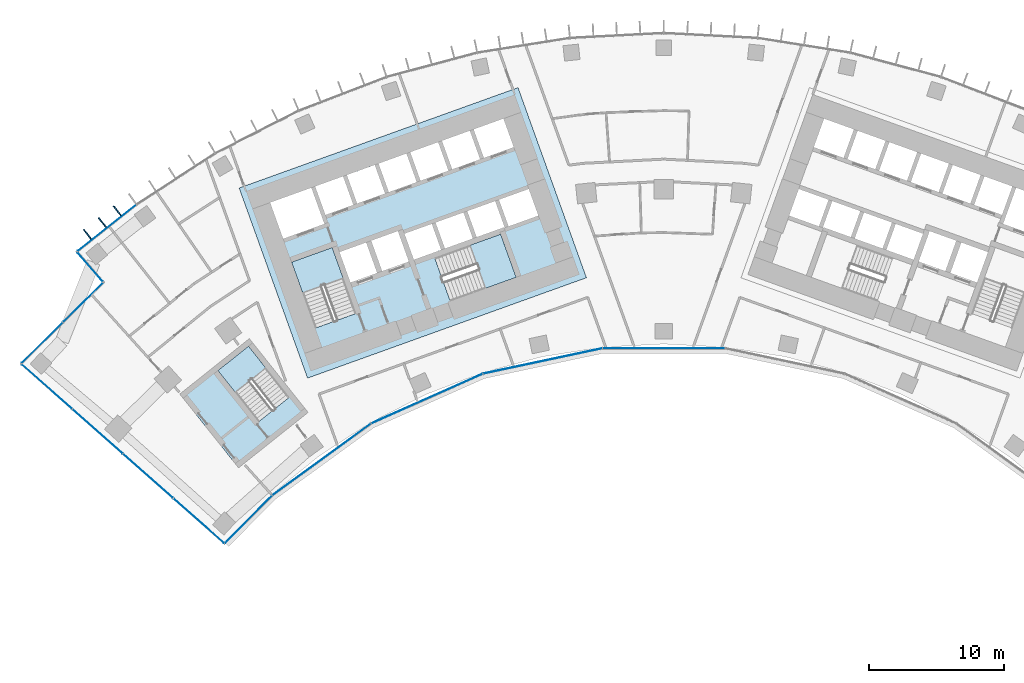
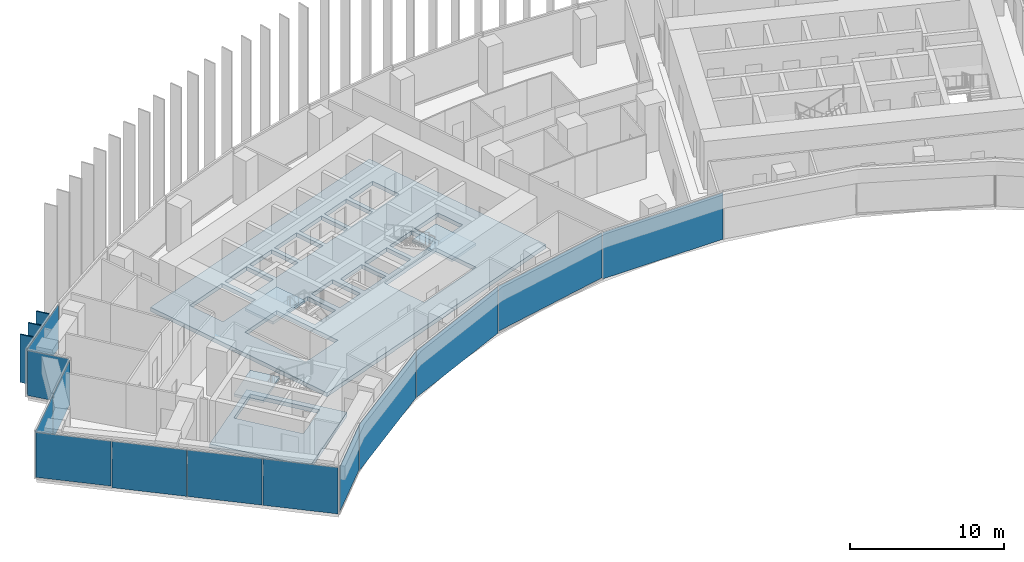
# One storey, part 12 of 22: 16 plates, 5 slabs, 8 elements without a shape of their own.
"""IFC4 building model written with IfcOpenShell, lengths in metres."""

from ifc_helpers import new_model, si_unit, direction, frame, origin, origin_2d, place, context, subcontext, project, spatial, polyline, rectangle, outline, extrude, material, layer, layer_set, type_object, element, aggregate, save


model = new_model("IFC4")

# Units and contexts
model_context = context("Model", 3, precision=1e-05, world=origin(), true_north=direction((0.0, 1.0)))
body_context = subcontext(model_context, "Body", "Model", "MODEL_VIEW")
ifc_project = project(units=[si_unit("LENGTHUNIT", "METRE"), si_unit("AREAUNIT", "SQUARE_METRE"), si_unit("VOLUMEUNIT", "CUBIC_METRE"), si_unit("PLANEANGLEUNIT", "RADIAN"), si_unit("MASSUNIT", "GRAM", prefix="KILO")], contexts=[model_context])

# Site, building, storey
site_placement = place(None, origin())
site = spatial("IfcSite", under=ifc_project, at=site_placement, CompositionType="ELEMENT")
building_placement = place(site_placement, origin())
building = spatial("IfcBuilding", under=site, at=building_placement, Name="Stone Belt Terrace Tower", CompositionType="ELEMENT")
storey_placement = place(building_placement, frame((0.0, 0.0, 121.199951171875)))
storey = spatial("IfcBuildingStorey", under=building, at=storey_placement, Name="L29", CompositionType="ELEMENT", Elevation=121.199951171875)

# Curtain wall, plate
ifc_material_1 = material(Name="Aluminium 6063-T6 anodised frame", Category="aluminium")
ifc_layer_1 = layer(ifc_material_1, 0.14990234375)
ifc_layer_set_1 = layer_set([ifc_layer_1], Name="CW-A unitised convex-face curtain wall")
curtain_wall_type_1 = type_object("IfcCurtainWallType", Name="CW-A unitised convex-face curtain wall", PredefinedType="NOTDEFINED", material=ifc_layer_set_1)
curtain_wall_1_placement = place(storey_placement, origin())
curtain_wall_1 = element("IfcCurtainWall", 1, at=curtain_wall_1_placement, inside=storey, type_object=curtain_wall_type_1, Name="CW-A convex face L29", PredefinedType="NOTDEFINED")
ifc_material_2 = material(Name="Clear double glazed unit")
ifc_layer_2 = layer(ifc_material_2, 0.031982421875)
ifc_layer_set_2 = layer_set([ifc_layer_2], Name="CW-A glass panel 32")
plate_type_1 = type_object("IfcPlateType", Name="CW-A glass panel 32", PredefinedType="CURTAIN_PANEL", material=ifc_layer_set_2)
plate_1_placement = place(storey_placement, frame((-41.32568359375, 52.121826171875, 0.14013671875), z_axis=(0.0, 0.0, 1.0), x_axis=(-0.783743132176, -0.621085101067, 0.0)))
plate_1 = element("IfcPlate", 2, at=plate_1_placement, type_object=plate_type_1, Name="CW-A panel 16.1", PredefinedType="CURTAIN_PANEL", context=body_context, shape_type="SweptSolid", body=[
    extrude(rectangle(XDim=5.5322265625, YDim=0.031982421875, at=origin_2d()), origin(), (0.0, 0.0, 1.0), 3.52001953125),
])
aggregate(curtain_wall_1, [plate_1])

# Curtain wall, plates
ifc_layer_3 = layer(ifc_material_1, 0.14990234375)
ifc_layer_set_3 = layer_set([ifc_layer_3], Name="CW-B unitised concave-face curtain wall")
curtain_wall_type_2 = type_object("IfcCurtainWallType", Name="CW-B unitised concave-face curtain wall", PredefinedType="NOTDEFINED", material=ifc_layer_set_3)
curtain_wall_2_placement = place(storey_placement, origin())
curtain_wall_2 = element("IfcCurtainWall", 3, at=curtain_wall_2_placement, inside=storey, type_object=curtain_wall_type_2, Name="CW-B concave face L29", PredefinedType="NOTDEFINED")
ifc_layer_4 = layer(ifc_material_2, 0.030029296875)
ifc_layer_set_4 = layer_set([ifc_layer_4], Name="CW-B glass panel 30")
plate_type_2 = type_object("IfcPlateType", Name="CW-B glass panel 30", PredefinedType="CURTAIN_PANEL", material=ifc_layer_set_4)
plate_2_placement = place(storey_placement, frame((-30.81494140625, 30.49609375, 0.1201171875), z_axis=(0.0, 0.0, 1.0), x_axis=(0.703734842547, 0.710462716393, 0.0)))
plate_2 = element("IfcPlate", 4, at=plate_2_placement, type_object=plate_type_2, Name="CW-B panel 1.1", PredefinedType="CURTAIN_PANEL", context=body_context, shape_type="SweptSolid", body=[
    extrude(rectangle(XDim=4.9306640625, YDim=0.030029296875, at=origin_2d()), origin(), (0.0, 0.0, 1.0), 3.56005859375),
])
plate_3_placement = place(storey_placement, frame((-25.385986328125, 34.937744140625, 0.0), z_axis=(0.0, 0.0, 1.0), x_axis=(0.809016994375, 0.587785252292, 0.0)))
plate_3 = element("IfcPlate", 5, at=plate_3_placement, type_object=plate_type_2, Name="CW-B panel 2.1", PredefinedType="CURTAIN_PANEL", context=body_context, shape_type="SweptSolid", body=[
    extrude(rectangle(XDim=9.016357421875, YDim=0.030029296875, at=origin_2d()), origin(), (0.0, 0.0, 1.0), 3.679931640625),
])
plate_4_placement = place(storey_placement, frame((-17.565673828125, 39.453125, 0.0), z_axis=(0.0, 0.0, 1.0), x_axis=(0.913545457643, 0.406736643076, 0.0)))
plate_4 = element("IfcPlate", 6, at=plate_4_placement, type_object=plate_type_2, Name="CW-B panel 3.1", PredefinedType="CURTAIN_PANEL", context=body_context, shape_type="SweptSolid", body=[
    extrude(rectangle(XDim=9.0126953125, YDim=0.030029296875, at=origin_2d()), origin(), (0.0, 0.0, 1.0), 3.679931640625),
])
plate_5_placement = place(storey_placement, frame((-8.97900390625, 42.242919921875, 0.1201171875), z_axis=(0.0, 0.0, 1.0), x_axis=(0.978147600734, 0.207911690818, 0.0)))
plate_5 = element("IfcPlate", 7, at=plate_5_placement, type_object=plate_type_2, Name="CW-B panel 4.1", PredefinedType="CURTAIN_PANEL", context=body_context, shape_type="SweptSolid", body=[
    extrude(rectangle(XDim=9.0126953125, YDim=0.030029296875, at=origin_2d()), origin(), (0.0, 0.0, 1.0), 3.56005859375),
])
plate_6_placement = place(storey_placement, frame((0.0, 43.186767578125, 0.0), z_axis=(0.0, 0.0, 1.0), x_axis=(1.0, 0.0, 0.0)))
plate_6 = element("IfcPlate", 8, at=plate_6_placement, type_object=plate_type_2, Name="CW-B panel 5.1", PredefinedType="CURTAIN_PANEL", context=body_context, shape_type="SweptSolid", body=[
    extrude(rectangle(XDim=9.0126953125, YDim=0.030029296875, at=origin_2d()), origin(), (0.0, 0.0, 1.0), 3.679931640625),
])
aggregate(curtain_wall_2, [plate_2, plate_3, plate_4, plate_5, plate_6])

# Curtain wall, plate
ifc_layer_5 = layer(ifc_material_1, 0.14990234375)
ifc_layer_set_5 = layer_set([ifc_layer_5], Name="CW-C stick curtain wall, horn ends and notches")
curtain_wall_type_3 = type_object("IfcCurtainWallType", Name="CW-C stick curtain wall, horn ends and notches", PredefinedType="NOTDEFINED", material=ifc_layer_set_5)
curtain_wall_3_placement = place(storey_placement, origin())
curtain_wall_3 = element("IfcCurtainWall", 9, at=curtain_wall_3_placement, inside=storey, type_object=curtain_wall_type_3, Name="CW-C notch face L29", PredefinedType="NOTDEFINED")
ifc_layer_6 = layer(ifc_material_2, 0.028076171875)
ifc_layer_set_6 = layer_set([ifc_layer_6], Name="CW-C glass panel 28")
plate_type_3 = type_object("IfcPlateType", Name="CW-C glass panel 28", PredefinedType="CURTAIN_PANEL", material=ifc_layer_set_6)
plate_7_placement = place(storey_placement, frame((-42.569091796875, 49.218017578125, 0.1201171875), z_axis=(0.0, 0.0, 1.0), x_axis=(0.653299511695, -0.757099562818, 0.0)))
plate_7 = element("IfcPlate", 10, at=plate_7_placement, type_object=plate_type_3, Name="CW-C panel 1.1", PredefinedType="CURTAIN_PANEL", context=body_context, shape_type="SweptSolid", body=[
    extrude(rectangle(XDim=2.860107421875, YDim=0.028076171875, at=origin_2d()), origin(), (0.0, 0.0, 1.0), 3.56005859375),
])
aggregate(curtain_wall_3, [plate_7])

# Curtain wall, plates
curtain_wall_4_placement = place(storey_placement, origin())
curtain_wall_4 = element("IfcCurtainWall", 11, at=curtain_wall_4_placement, inside=storey, type_object=curtain_wall_type_3, Name="CW-C notch face L29", PredefinedType="NOTDEFINED")
plate_8_placement = place(storey_placement, frame((-43.104248046875, 46.580078125, 0.1201171875), z_axis=(0.0, 0.0, 1.0), x_axis=(-0.711192294213, -0.702997525353, 0.0)))
plate_8 = element("IfcPlate", 12, at=plate_8_placement, type_object=plate_type_3, Name="CW-C panel 1.1", PredefinedType="CURTAIN_PANEL", context=body_context, shape_type="SweptSolid", body=[
    extrude(rectangle(XDim=4.12060546875, YDim=0.028076171875, at=origin_2d()), origin(), (0.0, 0.0, 1.0), 3.56005859375),
])
plate_9_placement = place(storey_placement, frame((-46.130126953125, 43.589111328125, 0.0), z_axis=(0.0, 0.0, 1.0), x_axis=(-0.711192294213, -0.702997525353, 0.0)))
plate_9 = element("IfcPlate", 13, at=plate_9_placement, type_object=plate_type_3, Name="CW-C panel 2.1", PredefinedType="CURTAIN_PANEL", context=body_context, shape_type="SweptSolid", body=[
    extrude(rectangle(XDim=4.268798828125, YDim=0.028076171875, at=origin_2d()), origin(), (0.0, 0.0, 1.0), 3.679931640625),
])
aggregate(curtain_wall_4, [plate_8, plate_9])

curtain_wall_5_placement = place(storey_placement, origin())
curtain_wall_5 = element("IfcCurtainWall", 14, at=curtain_wall_5_placement, inside=storey, type_object=curtain_wall_type_3, Name="CW-C end face L29", PredefinedType="NOTDEFINED")
plate_10_placement = place(storey_placement, frame((-45.781005859375, 40.339111328125, 0.1201171875), z_axis=(0.0, 0.0, 1.0), x_axis=(0.749477659318, -0.662029635427, 0.0)))
plate_10 = element("IfcPlate", 15, at=plate_10_placement, type_object=plate_type_3, Name="CW-C panel 1.1", PredefinedType="CURTAIN_PANEL", context=body_context, shape_type="SweptSolid", body=[
    extrude(rectangle(XDim=4.974853515625, YDim=0.028076171875, at=origin_2d()), origin(), (0.0, 0.0, 1.0), 3.56005859375),
])
plate_11_placement = place(storey_placement, frame((-42.0205078125, 37.017333984375, 0.0), z_axis=(0.0, 0.0, 1.0), x_axis=(0.749477659318, -0.662029635427, 0.0)))
plate_11 = element("IfcPlate", 16, at=plate_11_placement, type_object=plate_type_3, Name="CW-C panel 2.1", PredefinedType="CURTAIN_PANEL", context=body_context, shape_type="SweptSolid", body=[
    extrude(rectangle(XDim=4.93994140625, YDim=0.028076171875, at=origin_2d()), origin(), (0.0, 0.0, 1.0), 3.679931640625),
])
plate_12_placement = place(storey_placement, frame((-38.27294921875, 33.707275390625, 0.0), z_axis=(0.0, 0.0, 1.0), x_axis=(0.749477659318, -0.662029635427, 0.0)))
plate_12 = element("IfcPlate", 17, at=plate_12_placement, type_object=plate_type_3, Name="CW-C panel 3.1", PredefinedType="CURTAIN_PANEL", context=body_context, shape_type="SweptSolid", body=[
    extrude(rectangle(XDim=4.93994140625, YDim=0.028076171875, at=origin_2d()), origin(), (0.0, 0.0, 1.0), 3.679931640625),
])
plate_13_placement = place(storey_placement, frame((-34.515380859375, 30.387939453125, 0.0), z_axis=(0.0, 0.0, 1.0), x_axis=(0.749477659318, -0.662029635427, 0.0)))
plate_13 = element("IfcPlate", 18, at=plate_13_placement, type_object=plate_type_3, Name="CW-C panel 4.1", PredefinedType="CURTAIN_PANEL", context=body_context, shape_type="SweptSolid", body=[
    extrude(rectangle(XDim=4.967529296875, YDim=0.028076171875, at=origin_2d()), origin(), (0.0, 0.0, 1.0), 3.679931640625),
])
aggregate(curtain_wall_5, [plate_10, plate_11, plate_12, plate_13])

# Slabs
ifc_material_3 = material(Name="Concrete B40", Category="concrete")
ifc_layer_7 = layer(ifc_material_3, 0.320068359375)
ifc_layer_set_7 = layer_set([ifc_layer_7], Name="Core floor slab 320")
slab_type_1 = type_object("IfcSlabType", Name="Core floor slab 320", PredefinedType="FLOOR", material=ifc_layer_set_7)
slab_1_placement = place(storey_placement, frame((0.0, 0.0, -0.320068359375)))
element("IfcSlab", 19, at=slab_1_placement, inside=storey, type_object=slab_type_1, Name="Core A floor L29", PredefinedType="FLOOR", context=body_context, shape_type="SweptSolid", body=[
    extrude(outline(polyline([(-26.43505859375, 40.968994140625), (-5.735107421875, 48.4189453125), (-10.81396484375, 62.531982421875), (-31.513916015625, 55.0830078125), (-26.43505859375, 40.968994140625)]), holes=[polyline([(-24.60791015625, 50.659912109375), (-22.847900390625, 45.76806640625), (-25.85888671875, 44.68408203125), (-27.618896484375, 49.575927734375), (-24.60791015625, 50.659912109375)]), polyline([(-21.27392578125, 48.778076171875), (-23.25, 48.06689453125), (-24.06298828125, 50.324951171875), (-22.0869140625, 51.035888671875), (-21.27392578125, 48.778076171875)]), polyline([(-18.922119140625, 49.6240234375), (-20.89794921875, 48.9130859375), (-21.7109375, 51.1708984375), (-19.735107421875, 51.883056640625), (-18.922119140625, 49.6240234375)]), polyline([(-19.239990234375, 51.68896484375), (-17.217041015625, 52.4169921875), (-16.52294921875, 50.488037109375), (-18.5458984375, 49.760009765625), (-19.239990234375, 51.68896484375)]), polyline([(-29.2109375, 53.9990234375), (-26.153076171875, 55.09912109375), (-25.18798828125, 52.41796875), (-28.24609375, 51.31689453125), (-29.2109375, 53.9990234375)]), polyline([(-23.801025390625, 55.946044921875), (-23.0390625, 53.8291015625), (-25.10888671875, 53.083984375), (-25.87109375, 55.200927734375), (-23.801025390625, 55.946044921875)]), polyline([(-21.447998046875, 56.7919921875), (-20.68603515625, 54.675048828125), (-22.756103515625, 53.929931640625), (-23.51806640625, 56.047119140625), (-21.447998046875, 56.7919921875)]), polyline([(-19.095947265625, 57.638916015625), (-18.333984375, 55.52197265625), (-20.404052734375, 54.777099609375), (-21.166015625, 56.89404296875), (-19.095947265625, 57.638916015625)]), polyline([(-15.846923828125, 46.69189453125), (-16.998046875, 49.89208984375), (-12.10595703125, 51.652099609375), (-10.955078125, 48.452880859375), (-15.846923828125, 46.69189453125)]), polyline([(-16.239990234375, 50.589111328125), (-16.93408203125, 52.51806640625), (-14.864013671875, 53.262939453125), (-14.169921875, 51.333984375), (-16.239990234375, 50.589111328125)]), polyline([(-11.801025390625, 52.134033203125), (-11.847900390625, 52.116943359375), (-11.864990234375, 52.1640625), (-13.887939453125, 51.43603515625), (-14.58203125, 53.364990234375), (-12.511962890625, 54.110107421875), (-11.801025390625, 52.134033203125)]), polyline([(-9.30810546875, 53.031005859375), (-11.51904296875, 52.235107421875), (-12.22998046875, 54.2109375), (-10.01904296875, 55.007080078125), (-9.30810546875, 53.031005859375)]), polyline([(-16.743896484375, 58.485107421875), (-15.98193359375, 56.367919921875), (-18.052001953125, 55.623046875), (-18.81396484375, 57.739990234375), (-16.743896484375, 58.485107421875)]), polyline([(-14.39111328125, 59.33203125), (-13.6298828125, 57.215087890625), (-15.699951171875, 56.469970703125), (-16.4609375, 58.5869140625), (-14.39111328125, 59.33203125)]), polyline([(-11.89794921875, 60.22900390625), (-11.135986328125, 58.112060546875), (-13.346923828125, 57.31591796875), (-14.10888671875, 59.43408203125), (-11.89794921875, 60.22900390625)])]), origin(), (0.0, 0.0, 1.0), 0.320068359375),
])
slab_2_placement = place(storey_placement, frame((0.0, 0.0, -0.320068359375)))
element("IfcSlab", 20, at=slab_2_placement, inside=storey, type_object=slab_type_1, Name="Exit stair ST3A floor L29", PredefinedType="FLOOR", context=body_context, shape_type="SweptSolid", body=[
    extrude(outline(polyline([(-26.39404296875, 38.425048828125), (-30.756103515625, 43.89990234375), (-35.91796875, 39.787109375), (-31.555908203125, 34.31298828125), (-26.39404296875, 38.425048828125)]), holes=[polyline([(-27.798095703125, 39.544921875), (-30.06591796875, 37.738037109375), (-33.087890625, 41.531005859375), (-30.820068359375, 43.337890625), (-27.798095703125, 39.544921875)])]), origin(), (0.0, 0.0, 1.0), 0.320068359375),
])

# Stair, slab
stair_type = type_object("IfcStairType", Name="Exit stair 1500", PredefinedType="HALF_TURN_STAIR", material=ifc_material_3)
stair_1_placement = place(storey_placement, origin())
stair_1 = element("IfcStair", 21, at=stair_1_placement, inside=storey, type_object=stair_type, Name="L29 Exit stair 1 core A", PredefinedType="HALF_TURN_STAIR")
ifc_layer_8 = layer(ifc_material_3, 0.199951171875)
ifc_layer_set_8 = layer_set([ifc_layer_8], Name="Stair landing 200")
slab_type_2 = type_object("IfcSlabType", Name="Stair landing 200", PredefinedType="LANDING", material=ifc_layer_set_8)
slab_3_placement = place(storey_placement, frame((0.0, 0.0, 1.699951171875)))
slab_3 = element("IfcSlab", 22, at=slab_3_placement, type_object=slab_type_2, Name="ST1A landing 1", PredefinedType="LANDING", context=body_context, shape_type="SweptSolid", body=[
    extrude(outline(polyline([(-23.79541015625, 48.40087890625), (-24.6083984375, 50.659912109375), (-27.619384765625, 49.576171875), (-26.806396484375, 47.3173828125), (-23.79541015625, 48.40087890625)])), origin(), (0.0, 0.0, 1.0), 0.2001953125),
])
aggregate(stair_1, [slab_3])

stair_2_placement = place(storey_placement, origin())
stair_2 = element("IfcStair", 23, at=stair_2_placement, inside=storey, type_object=stair_type, Name="L29 Exit stair 2 core A", PredefinedType="HALF_TURN_STAIR")
slab_4_placement = place(storey_placement, frame((0.0, 0.0, 1.699951171875)))
slab_4 = element("IfcSlab", 24, at=slab_4_placement, type_object=slab_type_2, Name="ST2A landing 1", PredefinedType="LANDING", context=body_context, shape_type="SweptSolid", body=[
    extrude(outline(polyline([(-13.213623046875, 47.64013671875), (-10.95458984375, 48.453125), (-12.10595703125, 51.652099609375), (-14.36474609375, 50.839111328125), (-13.213623046875, 47.64013671875)])), origin(), (0.0, 0.0, 1.0), 0.2001953125),
])
aggregate(stair_2, [slab_4])

stair_3_placement = place(storey_placement, origin())
stair_3 = element("IfcStair", 25, at=stair_3_placement, inside=storey, type_object=stair_type, Name="L29 Exit stair 3A", PredefinedType="HALF_TURN_STAIR")
slab_5_placement = place(storey_placement, frame((0.0, 0.0, 1.699951171875)))
slab_5 = element("IfcSlab", 26, at=slab_5_placement, type_object=slab_type_2, Name="ST3A landing 1", PredefinedType="LANDING", context=body_context, shape_type="SweptSolid", body=[
    extrude(outline(polyline([(-29.541748046875, 41.73388671875), (-30.819580078125, 43.337890625), (-33.087646484375, 41.53076171875), (-31.809814453125, 39.9267578125), (-29.541748046875, 41.73388671875)])), origin(), (0.0, 0.0, 1.0), 0.2001953125),
])
aggregate(stair_3, [slab_5])

# Plates
ifc_material_4 = material(Name="Terracotta coloured glazed ceramic", Category="masonry")
ifc_layer_9 = layer(ifc_material_4, 0.10009765625)
ifc_layer_set_9 = layer_set([ifc_layer_9], Name="Terracotta fin 100 x 900")
plate_type_4 = type_object("IfcPlateType", Name="Terracotta fin 100 x 900", PredefinedType="SHEET", material=ifc_layer_set_9)
for number, where, z_axis, x_axis, name in (
    (27, (-40.562744140625, 53.396240234375, 0.0), (0.0, 0.0, 1.0), (-0.621085101067, 0.783743132176, 0.0), "FIN L29 16.2"),
    (28, (-41.66796875, 52.5205078125, 0.0), (0.0, 0.0, 1.0), (-0.621085101067, 0.783743132176, 0.0), "FIN L29 16.3"),
    (29, (-42.773193359375, 51.64453125, 0.0), (0.0, 0.0, 1.0), (-0.621085101067, 0.783743132176, 0.0), "FIN L29 16.4"),
):
    element("IfcPlate", number, at=place(storey_placement, frame(where, z_axis=z_axis, x_axis=x_axis)), inside=storey, type_object=plate_type_4, Name=name, PredefinedType="SHEET", context=body_context, shape_type="SweptSolid", body=[
        extrude(rectangle(XDim=0.89990234375, YDim=0.10009765625, at=origin_2d()), origin(), (0.0, 0.0, 1.0), 3.800048828125),
    ])

save(model, "model.ifc")
